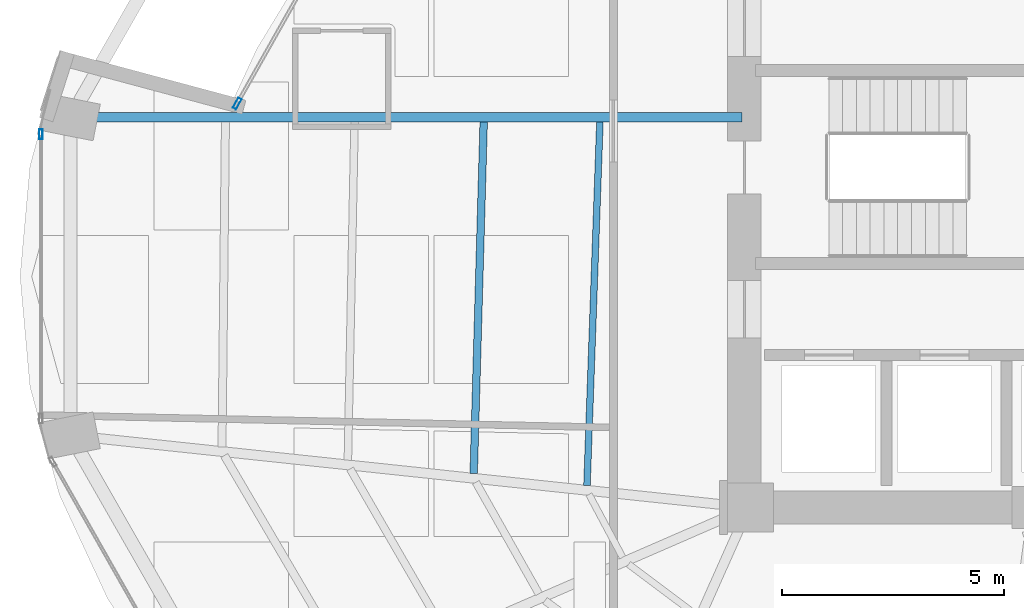
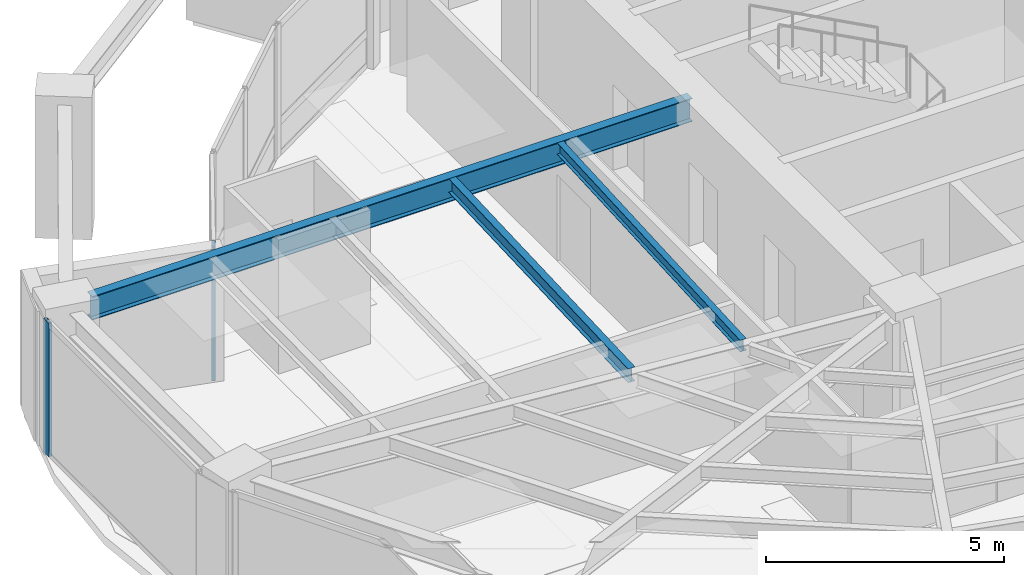
# One storey, part 8 of 24: 3 beams, 2 members, 2 elements without a shape of their own.
"""IFC4 building model written with IfcOpenShell, lengths in metres."""

import ifcopenshell
import ifcopenshell.guid

model = None  # the IFC model being written
_history = None  # IfcOwnerHistory: only IFC2X3 demands one
_inside = {}  # id of a spatial element -> (the spatial element, [elements in it])
_under = {}  # id of a project, library or spatial element -> (it, [spatial elements below it])
_declared = {}  # id of a project -> (the project, [libraries it declares])
_typed = {}  # id of a type object -> (the type object, [elements of that type])
_made_of = {}  # id of a material, layer set ... -> (it, [elements and type objects made of it])


def new_model(schema):
    """Start an empty IFC model of exactly this schema.

    Asked for "IFC4X3", IfcOpenShell would pick the latest addendum, in which some entities
    have other attributes; the version numbers below select the first issue.
    IFC2X3 requires an IfcOwnerHistory on every rooted entity: one is made here for all.
    """
    global model, _history
    if schema == "IFC4X3":
        model = ifcopenshell.file(schema_version=(4, 3, 0, 0))
    else:
        model = ifcopenshell.file(schema=schema)
    _inside.clear()
    _under.clear()
    _declared.clear()
    _typed.clear()
    _made_of.clear()
    _history = None
    if model.schema == "IFC2X3":
        org = make("IfcOrganization", Name="unknown")
        user = make(
            "IfcPersonAndOrganization",
            ThePerson=make("IfcPerson", FamilyName="unknown"),
            TheOrganization=org,
        )
        app = make(
            "IfcApplication",
            ApplicationDeveloper=org,
            Version="unknown",
            ApplicationFullName="unknown",
            ApplicationIdentifier="unknown",
        )
        _history = make(
            "IfcOwnerHistory",
            OwningUser=user,
            OwningApplication=app,
            ChangeAction="ADDED",
            CreationDate=0,
        )
    return model


def make(cls, **values):
    """One entity of the class cls with the attributes given. An attribute that is None is left unset."""
    return model.create_entity(
        cls, **{name: value for name, value in values.items() if value is not None}
    )


def rooted(cls, **values):
    """An entity with a GlobalId (a new one), such as an element, a storey or a relation."""
    return make(cls, GlobalId=ifcopenshell.guid.new(), OwnerHistory=_history, **values)


def si_unit(unit_type, name, prefix=None):
    """IfcSIUnit, for example si_unit("LENGTHUNIT", "METRE", prefix="MILLI")."""
    return make("IfcSIUnit", UnitType=unit_type, Prefix=prefix, Name=name)


def assignment(units):
    """IfcUnitAssignment: the units of a project."""
    return None if units is None else make("IfcUnitAssignment", Units=units)


def point(xyz):
    """IfcCartesianPoint."""
    return None if xyz is None else make("IfcCartesianPoint", Coordinates=xyz)


def direction(xyz):
    """IfcDirection."""
    return None if xyz is None else make("IfcDirection", DirectionRatios=xyz)


def frame(location, z_axis=None, x_axis=None):
    """IfcAxis2Placement3D, a coordinate frame: its origin and axes. An axis left out is left unset."""
    return make(
        "IfcAxis2Placement3D",
        Location=point(location),
        Axis=direction(z_axis),
        RefDirection=direction(x_axis),
    )


def frame_2d(location, x_axis=None):
    """IfcAxis2Placement2D, a coordinate frame in the plane: its origin and x axis."""
    return make(
        "IfcAxis2Placement2D", Location=point(location), RefDirection=direction(x_axis)
    )


def origin():
    """The frame at (0, 0, 0) with its axes left unset."""
    return frame((0.0, 0.0, 0.0))


def origin_2d():
    """The frame at (0, 0) in the plane with its x axis left unset."""
    return frame_2d((0.0, 0.0))


def place(relative_to, where):
    """IfcLocalPlacement: puts the frame where relative to a parent placement (None: the world)."""
    return make(
        "IfcLocalPlacement", PlacementRelTo=relative_to, RelativePlacement=where
    )


def context(
    kind, dimensions, precision=None, world=None, true_north=None, identifier=None
):
    """IfcGeometricRepresentationContext, for example the 3D "Model" context."""
    return make(
        "IfcGeometricRepresentationContext",
        ContextIdentifier=identifier,
        ContextType=kind,
        CoordinateSpaceDimension=dimensions,
        Precision=precision,
        WorldCoordinateSystem=world,
        TrueNorth=true_north,
    )


def subcontext(parent, identifier, kind, view, scale=None):
    """IfcGeometricRepresentationSubContext, for example "Body" below "Model"."""
    return make(
        "IfcGeometricRepresentationSubContext",
        ContextIdentifier=identifier,
        ContextType=kind,
        ParentContext=parent,
        TargetScale=scale,
        TargetView=view,
    )


def project(units=None, contexts=None):
    """IfcProject with its units and contexts."""
    return rooted(
        "IfcProject",
        Name="project",
        RepresentationContexts=contexts,
        UnitsInContext=assignment(units),
    )


def spatial(cls, under=None, at=None, **own):
    """A site, building, storey or space (cls), placed at a placement, below another one or the project."""
    s = rooted(cls, ObjectPlacement=at, **own)
    if under is not None:
        _under.setdefault(under.id(), (under, []))[1].append(s)
    return s


def profile(cls, at=None, kind="AREA", **sizes):
    """A parametric profile (cls). Its sizes go by their IFC names, for example OverallWidth=200.0."""
    return make(cls, ProfileType=kind, Position=at, **sizes)


def hollow_rectangle(**sizes):
    """IfcRectangleHollowProfileDef."""
    return profile("IfcRectangleHollowProfileDef", **sizes)


def i_section(**sizes):
    """IfcIShapeProfileDef."""
    return profile("IfcIShapeProfileDef", **sizes)


def extrude(swept, where, along, depth):
    """IfcExtrudedAreaSolid: the profile swept, set in the frame where, extruded along a direction by depth."""
    return make(
        "IfcExtrudedAreaSolid",
        SweptArea=swept,
        Position=where,
        ExtrudedDirection=direction(along),
        Depth=depth,
    )


def shape(context_of_items, identifier, shape_type, items):
    """IfcShapeRepresentation: the items that make up one representation, for example the "Body"."""
    return make(
        "IfcShapeRepresentation",
        ContextOfItems=context_of_items,
        RepresentationIdentifier=identifier,
        RepresentationType=shape_type,
        Items=items,
    )


def material(Name=None, Category=None):
    """IfcMaterial."""
    return make("IfcMaterial", Name=Name, Category=Category)


def layer(
    of_material, thickness, ventilated=None, Name=None, Category=None, Priority=None
):
    """IfcMaterialLayer: one layer of a wall or slab, of a material (None: an air gap)."""
    return make(
        "IfcMaterialLayer",
        Material=of_material,
        LayerThickness=thickness,
        IsVentilated=ventilated,
        Name=Name,
        Category=Category,
        Priority=Priority,
    )


def layer_set(layers, Name=None):
    """IfcMaterialLayerSet."""
    return make("IfcMaterialLayerSet", MaterialLayers=layers, LayerSetName=Name)


def material_profile(
    of_material, cross_section, Name=None, Category=None, Priority=None
):
    """IfcMaterialProfile: a cross section and its material."""
    return make(
        "IfcMaterialProfile",
        Name=Name,
        Material=of_material,
        Profile=cross_section,
        Priority=Priority,
        Category=Category,
    )


def profile_set(profiles, Name=None, composite=None):
    """IfcMaterialProfileSet."""
    return make(
        "IfcMaterialProfileSet",
        Name=Name,
        MaterialProfiles=profiles,
        CompositeProfile=composite,
    )


def made_of(thing, what):
    """Note that an element or type object is made of a material, layer set ...; save() writes the relation."""
    if what is not None:
        _made_of.setdefault(what.id(), (what, []))[1].append(thing)
    return thing


def type_object(cls, material=None, **own):
    """A type object (cls), such as IfcWallType, which elements share."""
    return made_of(rooted(cls, **own), material)


def element(
    cls,
    number,
    at=None,
    inside=None,
    cuts=None,
    type_object=None,
    material=None,
    context=None,
    identifier="Body",
    shape_type=None,
    held_by="IfcProductDefinitionShape",
    body=None,
    shapes=None,
    **own,
):
    """One element of the class cls, such as IfcWall. Its Tag is "e" and its number.

    at: its placement. inside: the storey or other place that contains it. cuts: it is an
    opening in that element (IfcRelVoidsElement). A single representation is given by context,
    identifier, shape_type and body (its items); several are given by shapes. held_by: the class
    of the entity that holds the representations. save() writes the other relations.
    """
    e = rooted(cls, Tag="e%d" % number, ObjectPlacement=at, **own)
    if body is not None:
        shapes = [shape(context, identifier, shape_type, body)]
    if shapes is not None:
        e.Representation = make(held_by, Representations=shapes)
    if inside is not None:
        _inside.setdefault(inside.id(), (inside, []))[1].append(e)
    if cuts is not None:
        rooted(
            "IfcRelVoidsElement", RelatingBuildingElement=cuts, RelatedOpeningElement=e
        )
    if type_object is not None:
        _typed.setdefault(type_object.id(), (type_object, []))[1].append(e)
    return made_of(e, material)


def aggregate(whole, parts):
    """IfcRelAggregates: a whole, such as a stair, and the parts it consists of."""
    return rooted("IfcRelAggregates", RelatingObject=whole, RelatedObjects=parts)


def save(model, path):
    """Write the relations noted so far, then the file.

    IfcRelAggregates (storeys below a building ...), IfcRelContainedInSpatialStructure (elements
    in a storey), IfcRelDefinesByType, IfcRelAssociatesMaterial and IfcRelDeclares: one each for
    every whole, place, type object, material and project.
    """
    for whole, parts in _under.values():
        aggregate(whole, parts)
    for where, things in _inside.values():
        rooted(
            "IfcRelContainedInSpatialStructure",
            RelatedElements=things,
            RelatingStructure=where,
        )
    for kind, things in _typed.values():
        rooted("IfcRelDefinesByType", RelatedObjects=things, RelatingType=kind)
    for what, things in _made_of.values():
        rooted("IfcRelAssociatesMaterial", RelatedObjects=things, RelatingMaterial=what)
    for by, libraries in _declared.values():
        rooted("IfcRelDeclares", RelatingContext=by, RelatedDefinitions=libraries)
    model.write(path)


model = new_model("IFC4")

# Units and contexts
model_context = context("Model", 3, precision=1e-05, world=origin(), true_north=direction((0.0, 1.0)))
body_context = subcontext(model_context, "Body", "Model", "MODEL_VIEW")
ifc_project = project(units=[si_unit("LENGTHUNIT", "METRE"), si_unit("AREAUNIT", "SQUARE_METRE"), si_unit("VOLUMEUNIT", "CUBIC_METRE"), si_unit("PLANEANGLEUNIT", "RADIAN"), si_unit("MASSUNIT", "GRAM", prefix="KILO")], contexts=[model_context])

# Site, building, storey
site_placement = place(None, origin())
site = spatial("IfcSite", under=ifc_project, at=site_placement, CompositionType="ELEMENT")
building_placement = place(site_placement, origin())
building = spatial("IfcBuilding", under=site, at=building_placement, Name="Lazwardi Medical Tower", CompositionType="ELEMENT")
storey_placement = place(building_placement, frame((0.0, 0.0, 114.575927734375)))
storey = spatial("IfcBuildingStorey", under=building, at=storey_placement, Name="L29", CompositionType="ELEMENT", Elevation=114.575927734375)

# Beams
ifc_material_1 = material(Name="Steel S355", Category="steel")
ifc_material_profile_1 = material_profile(ifc_material_1, i_section(OverallWidth=0.219970703125, OverallDepth=0.60009765625, WebThickness=0.011962890625, FlangeThickness=0.01904296875, at=origin_2d()), Name="IPE 600")
ifc_profile_set_1 = profile_set([ifc_material_profile_1], Name="Steel S355")
beam_type_1 = type_object("IfcBeamType", Name="BM-RG-W1", PredefinedType="BEAM", material=ifc_profile_set_1)
beam_1_placement = place(storey_placement, frame((11.717041015625, 29.179931640625, 3.128173828125), z_axis=(1.0, 0.0, 0.0), x_axis=(0.0, 1.0, 0.0)))
element("IfcBeam", 1, at=beam_1_placement, inside=storey, type_object=beam_type_1, Name="Radial girder RG-02 R12 L29", PredefinedType="BEAM", context=body_context, shape_type="SweptSolid", body=[
    extrude(i_section(OverallWidth=0.219970703125, OverallDepth=0.60009765625, WebThickness=0.011962890625, FlangeThickness=0.01904296875, at=origin_2d()), origin(), (0.0, 0.0, 1.0), 14.532958984375),
])
ifc_material_profile_2 = material_profile(ifc_material_1, i_section(OverallWidth=0.169921875, OverallDepth=0.360107421875, WebThickness=0.008056640625, FlangeThickness=0.0126953125, at=origin_2d()), Name="IPE 360")
ifc_profile_set_2 = profile_set([ifc_material_profile_2], Name="Steel S355")
beam_type_2 = type_object("IfcBeamType", Name="BM-SJ-02", PredefinedType="JOIST", material=ifc_profile_set_2)
beam_2_placement = place(storey_placement, frame((20.433837890625, 29.074951171875, 3.248046875), z_axis=(-0.028374870846, -0.99959735229, 0.0), x_axis=(0.99959735229, -0.028374870846, 0.0)))
element("IfcBeam", 2, at=beam_2_placement, inside=storey, type_object=beam_type_2, Name="Secondary joist SJ-02 R3 B12 L29", PredefinedType="JOIST", context=body_context, shape_type="SweptSolid", body=[
    extrude(i_section(OverallWidth=0.169921875, OverallDepth=0.360107421875, WebThickness=0.008056640625, FlangeThickness=0.0126953125, at=origin_2d()), origin(), (0.0, 0.0, 1.0), 7.915771484375),
])
ifc_material_profile_3 = material_profile(ifc_material_1, i_section(OverallWidth=0.14990234375, OverallDepth=0.300048828125, WebThickness=0.007080078125, FlangeThickness=0.0107421875, at=origin_2d()), Name="IPE 300")
ifc_profile_set_3 = profile_set([ifc_material_profile_3], Name="Steel S355")
beam_type_3 = type_object("IfcBeamType", Name="BM-SJ-03", PredefinedType="JOIST", material=ifc_profile_set_3)
beam_3_placement = place(storey_placement, frame((23.049072265625, 29.074951171875, 3.278076171875), z_axis=(-0.035571351764, -0.99936713921, 0.0), x_axis=(0.99936713921, -0.035571351764, 0.0)))
element("IfcBeam", 3, at=beam_3_placement, inside=storey, type_object=beam_type_3, Name="Secondary joist SJ-03 R4 B12 L29", PredefinedType="JOIST", context=body_context, shape_type="SweptSolid", body=[
    extrude(i_section(OverallWidth=0.14990234375, OverallDepth=0.300048828125, WebThickness=0.007080078125, FlangeThickness=0.0107421875, at=origin_2d()), origin(), (0.0, 0.0, 1.0), 8.18798828125),
])

# Curtain wall, member
ifc_material_2 = material(Name="Anodised bronze aluminium and solar control glazing", Category="aluminium")
ifc_layer_1 = layer(ifc_material_2, 0.195068359375)
ifc_layer_set_1 = layer_set([ifc_layer_1], Name="Anodised bronze aluminium and solar control glazing")
curtain_wall_type_1 = type_object("IfcCurtainWallType", Name="CW-SYS-03", PredefinedType="NOTDEFINED", material=ifc_layer_set_1)
curtain_wall_1_placement = place(storey_placement, origin())
curtain_wall_1 = element("IfcCurtainWall", 4, at=curtain_wall_1_placement, inside=storey, type_object=curtain_wall_type_1, Name="L29 Unitised bronze curtain wall CW-03", PredefinedType="NOTDEFINED")
ifc_material_3 = material(Name="Anodised bronze aluminium", Category="aluminium")
ifc_material_profile_4 = material_profile(ifc_material_3, hollow_rectangle(XDim=0.074951171875, YDim=0.219970703125, WallThickness=0.00390625, at=origin_2d()), Name="ALU-MULLION 220x75x4")
ifc_profile_set_4 = profile_set([ifc_material_profile_4], Name="Anodised bronze aluminium")
member_type_1 = type_object("IfcMemberType", Name="CW-MUL-01", PredefinedType="MULLION", material=ifc_profile_set_4)
member_1_placement = place(storey_placement, frame((10.471923828125, 28.79736328125, 0.0), z_axis=(0.0, 0.0, 1.0), x_axis=(1.0, 0.0, 0.0)))
member_1 = element("IfcMember", 5, at=member_1_placement, type_object=member_type_1, Name="CW-03 mullion 1", PredefinedType="MULLION", context=body_context, shape_type="SweptSolid", body=[
    extrude(hollow_rectangle(XDim=0.074951171875, YDim=0.219970703125, WallThickness=0.00390625, at=origin_2d()), origin(), (0.0, 0.0, 1.0), 3.427978515625),
])
aggregate(curtain_wall_1, [member_1])

ifc_layer_2 = layer(ifc_material_2, 0.239990234375)
ifc_layer_set_2 = layer_set([ifc_layer_2], Name="Anodised bronze aluminium and solar control glazing")
curtain_wall_type_2 = type_object("IfcCurtainWallType", Name="CW-SYS-05", PredefinedType="NOTDEFINED", material=ifc_layer_set_2)
curtain_wall_2_placement = place(storey_placement, origin())
curtain_wall_2 = element("IfcCurtainWall", 6, at=curtain_wall_2_placement, inside=storey, type_object=curtain_wall_type_2, Name="L29 Unitised bronze curtain wall CW-05", PredefinedType="NOTDEFINED")
ifc_material_profile_5 = material_profile(ifc_material_3, hollow_rectangle(XDim=0.0849609375, YDim=0.260009765625, WallThickness=0.0048828125, at=origin_2d()), Name="ALU-MULLION 260x85x5")
ifc_profile_set_5 = profile_set([ifc_material_profile_5], Name="Anodised bronze aluminium")
member_type_2 = type_object("IfcMemberType", Name="CW-MUL-02", PredefinedType="MULLION", material=ifc_profile_set_5)
member_2_placement = place(storey_placement, frame((14.886474609375, 29.48828125, 0.0), z_axis=(0.0, 0.0, 1.0), x_axis=(0.870845840727, -0.491556224341, 0.0)))
member_2 = element("IfcMember", 7, at=member_2_placement, type_object=member_type_2, Name="CW-05 mullion 2", PredefinedType="MULLION", context=body_context, shape_type="SweptSolid", body=[
    extrude(hollow_rectangle(XDim=0.0849609375, YDim=0.260009765625, WallThickness=0.0048828125, at=origin_2d()), origin(), (0.0, 0.0, 1.0), 3.427978515625),
])
aggregate(curtain_wall_2, [member_2])

save(model, "model.ifc")
